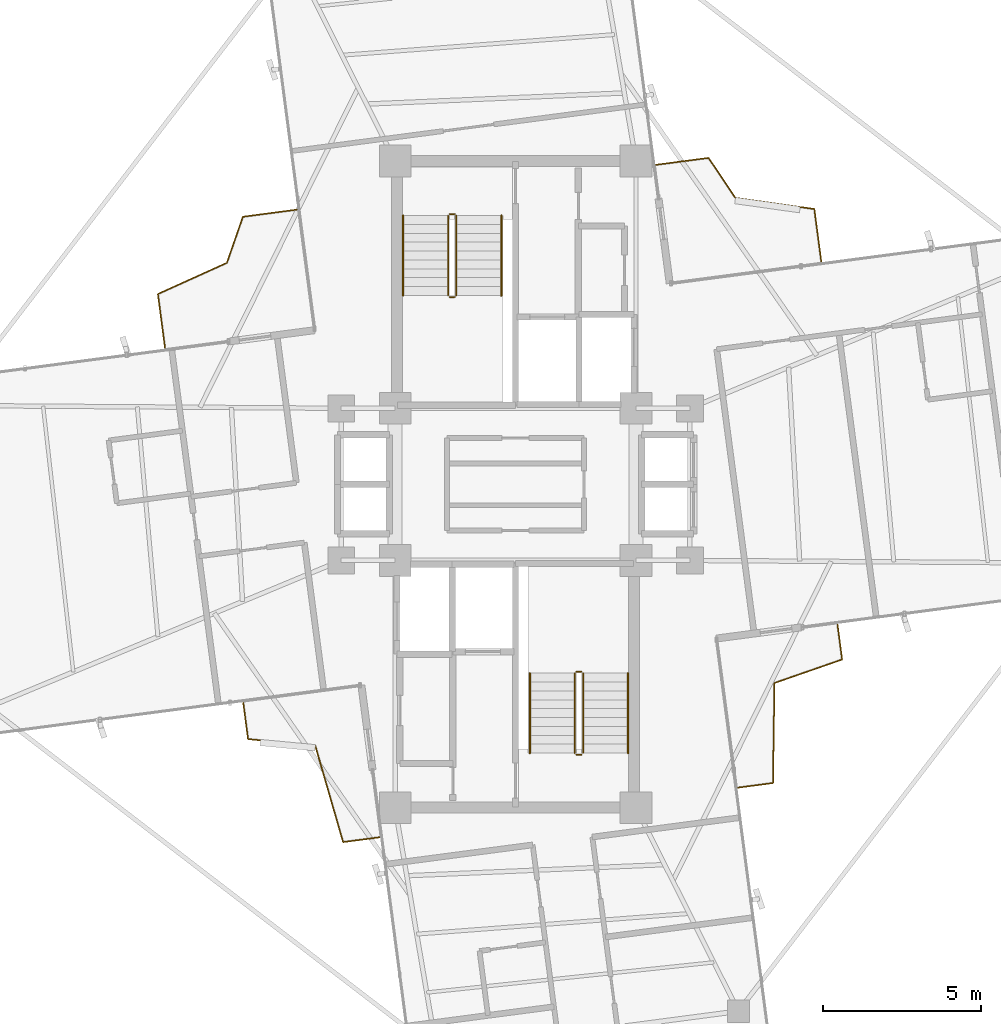
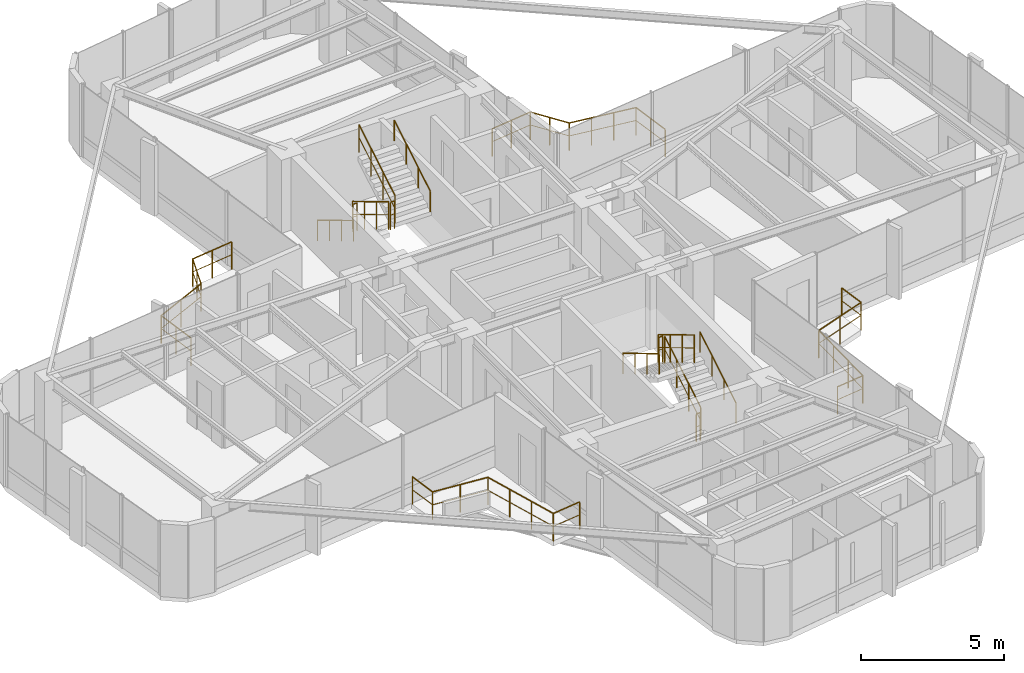
# One storey, part 21 of 21: 16 railings.
"""IFC4 building model written with IfcOpenShell, lengths in metres."""

from ifc_helpers import new_model, si_unit, direction, frame, origin, origin_2d, place, context, subcontext, project, spatial, circle, extrude, material, type_object, element, save


model = new_model("IFC4")

# Units and contexts
model_context = context("Model", 3, precision=1e-05, world=origin(), true_north=direction((0.0, 1.0)))
body_context = subcontext(model_context, "Body", "Model", "MODEL_VIEW")
ifc_project = project(units=[si_unit("LENGTHUNIT", "METRE"), si_unit("AREAUNIT", "SQUARE_METRE"), si_unit("VOLUMEUNIT", "CUBIC_METRE"), si_unit("PLANEANGLEUNIT", "RADIAN"), si_unit("MASSUNIT", "GRAM", prefix="KILO")], contexts=[model_context])

# Site, building, storey
site_placement = place(None, origin())
site = spatial("IfcSite", under=ifc_project, at=site_placement, CompositionType="ELEMENT")
building_placement = place(site_placement, origin())
building = spatial("IfcBuilding", under=site, at=building_placement, Name="Sahyath Konkavel Grand Hotel", CompositionType="ELEMENT")
storey_placement = place(building_placement, frame((0.0, 0.0, 216.550048828125)))
storey = spatial("IfcBuildingStorey", under=building, at=storey_placement, Name="L60", CompositionType="ELEMENT", Elevation=216.550048828125)

# Railings
ifc_material_1 = material(Name="Anodised Bronze Aluminium", Category="aluminium")
railing_type_1 = type_object("IfcRailingType", Name="RLG-BALC-1200", PredefinedType="GUARDRAIL", material=ifc_material_1)
railing_1_placement = place(storey_placement, frame((9.647216796875, 7.029296875, 0.0)))
element("IfcRailing", 1, at=railing_1_placement, inside=storey, type_object=railing_type_1, Name="L60 Winter-Garden Guard NE", PredefinedType="GUARDRAIL", context=body_context, shape_type="SweptSolid", body=[
    extrude(circle(Radius=0.02392578125, at=origin_2d()), frame((-0.000244140625, 0.001953125, 1.17578125), z_axis=(-0.13060550525, 0.991434416388, 0.0), x_axis=(-0.991434416388, -0.13060550525, 0.0)), (0.0, 0.0, 1.0), 1.6689453125),
    extrude(circle(Radius=0.01416015625, at=origin_2d()), frame((-0.000244140625, 0.001953125, 0.6240234375), z_axis=(-0.13060550525, 0.991434416388, 0.0), x_axis=(-0.991434416388, -0.13060550525, 0.0)), (0.0, 0.0, 1.0), 1.6689453125),
    extrude(circle(Radius=0.02392578125, at=origin_2d()), frame((-0.220458984375, 1.658935546875, 1.17578125), z_axis=(-0.990184766459, 0.139764545839, 0.0), x_axis=(-0.139764545839, -0.990184766459, 0.0)), (0.0, 0.0, 1.0), 2.51318359375),
    extrude(circle(Radius=0.01416015625, at=origin_2d()), frame((-0.220458984375, 1.658935546875, 0.6240234375), z_axis=(-0.990184766459, 0.139764545839, 0.0), x_axis=(-0.139764545839, -0.990184766459, 0.0)), (0.0, 0.0, 1.0), 2.51318359375),
    extrude(circle(Radius=0.02392578125, at=origin_2d()), frame((-2.712158203125, 2.01220703125, 1.17578125), z_axis=(-0.556924325217, 0.830563240206, 0.0), x_axis=(-0.830563240206, -0.556924325217, 0.0)), (0.0, 0.0, 1.0), 1.514404296875),
    extrude(circle(Radius=0.01416015625, at=origin_2d()), frame((-2.712158203125, 2.01220703125, 0.6240234375), z_axis=(-0.556924325217, 0.830563240206, 0.0), x_axis=(-0.830563240206, -0.556924325217, 0.0)), (0.0, 0.0, 1.0), 1.514404296875),
    extrude(circle(Radius=0.02392578125, at=origin_2d()), frame((-3.55859375, 3.271484375, 1.17578125), z_axis=(-0.991453302112, -0.130462062421, 0.0), x_axis=(0.130462062421, -0.991453302112, 0.0)), (0.0, 0.0, 1.0), 1.6689453125),
    extrude(circle(Radius=0.01416015625, at=origin_2d()), frame((-3.55859375, 3.271484375, 0.6240234375), z_axis=(-0.991453302112, -0.130462062421, 0.0), x_axis=(0.130462062421, -0.991453302112, 0.0)), (0.0, 0.0, 1.0), 1.6689453125),
    extrude(circle(Radius=0.02099609375, at=origin_2d()), origin(), (0.0, 0.0, 1.0), 1.15185546875),
    extrude(circle(Radius=0.02099609375, at=origin_2d()), frame((-0.109375, 0.829345703125, 0.0)), (0.0, 0.0, 1.0), 1.15185546875),
    extrude(circle(Radius=0.02099609375, at=origin_2d()), frame((-0.218505859375, 1.65869140625, 0.0)), (0.0, 0.0, 1.0), 1.15185546875),
    extrude(circle(Radius=0.02099609375, at=origin_2d()), frame((-1.04931640625, 1.77587890625, 0.0)), (0.0, 0.0, 1.0), 1.15185546875),
    extrude(circle(Radius=0.02099609375, at=origin_2d()), frame((-1.880126953125, 1.893310546875, 0.0)), (0.0, 0.0, 1.0), 1.15185546875),
    extrude(circle(Radius=0.02099609375, at=origin_2d()), frame((-2.7109375, 2.010498046875, 0.0)), (0.0, 0.0, 1.0), 1.15185546875),
    extrude(circle(Radius=0.02099609375, at=origin_2d()), frame((-3.1337890625, 2.64111328125, 0.0)), (0.0, 0.0, 1.0), 1.15185546875),
    extrude(circle(Radius=0.02099609375, at=origin_2d()), frame((-3.556640625, 3.271728515625, 0.0)), (0.0, 0.0, 1.0), 1.15185546875),
    extrude(circle(Radius=0.02099609375, at=origin_2d()), frame((-4.385986328125, 3.16259765625, 0.0)), (0.0, 0.0, 1.0), 1.15185546875),
    extrude(circle(Radius=0.02099609375, at=origin_2d()), frame((-5.21533203125, 3.053466796875, 0.0)), (0.0, 0.0, 1.0), 1.15185546875),
])
railing_2_placement = place(storey_placement, frame((-6.900390625, 8.66845703125, 0.0)))
element("IfcRailing", 2, at=railing_2_placement, inside=storey, type_object=railing_type_1, Name="L60 Winter-Garden Guard NW", PredefinedType="GUARDRAIL", context=body_context, shape_type="SweptSolid", body=[
    extrude(circle(Radius=0.02392578125, at=origin_2d()), frame((-0.001953125, -0.000244140625, 1.17578125), z_axis=(-0.991445098099, -0.130524394099, 0.0), x_axis=(0.130524394099, -0.991445098099, 0.0)), (0.0, 0.0, 1.0), 1.713134765625),
    extrude(circle(Radius=0.01416015625, at=origin_2d()), frame((-0.001953125, -0.000244140625, 0.6240234375), z_axis=(-0.991445098099, -0.130524394099, 0.0), x_axis=(0.130524394099, -0.991445098099, 0.0)), (0.0, 0.0, 1.0), 1.713134765625),
    extrude(circle(Radius=0.02392578125, at=origin_2d()), frame((-1.703125, -0.22607421875, 1.17578125), z_axis=(-0.328041152041, -0.944663433487, 0.0), x_axis=(0.944663433487, -0.328041152041, 0.0)), (0.0, 0.0, 1.0), 1.53662109375),
    extrude(circle(Radius=0.01416015625, at=origin_2d()), frame((-1.703125, -0.22607421875, 0.6240234375), z_axis=(-0.328041152041, -0.944663433487, 0.0), x_axis=(0.944663433487, -0.328041152041, 0.0)), (0.0, 0.0, 1.0), 1.53662109375),
    extrude(circle(Radius=0.02392578125, at=origin_2d()), frame((-2.20947265625, -1.68017578125, 1.17578125), z_axis=(-0.91131247502, -0.411715402765, 0.0), x_axis=(0.411715402765, -0.91131247502, 0.0)), (0.0, 0.0, 1.0), 2.38525390625),
    extrude(circle(Radius=0.01416015625, at=origin_2d()), frame((-2.20947265625, -1.68017578125, 0.6240234375), z_axis=(-0.91131247502, -0.411715402765, 0.0), x_axis=(0.411715402765, -0.91131247502, 0.0)), (0.0, 0.0, 1.0), 2.38525390625),
    extrude(circle(Radius=0.02392578125, at=origin_2d()), frame((-4.384765625, -2.6650390625, 1.17578125), z_axis=(0.130524394099, -0.991445098099, 0.0), x_axis=(0.991445098099, 0.130524394099, 0.0)), (0.0, 0.0, 1.0), 1.713134765625),
    extrude(circle(Radius=0.01416015625, at=origin_2d()), frame((-4.384765625, -2.6650390625, 0.6240234375), z_axis=(0.130524394099, -0.991445098099, 0.0), x_axis=(0.991445098099, 0.130524394099, 0.0)), (0.0, 0.0, 1.0), 1.713134765625),
    extrude(circle(Radius=0.02099609375, at=origin_2d()), origin(), (0.0, 0.0, 1.0), 1.15185546875),
    extrude(circle(Radius=0.02099609375, at=origin_2d()), frame((-0.85107421875, -0.112060546875, 0.0)), (0.0, 0.0, 1.0), 1.15185546875),
    extrude(circle(Radius=0.02099609375, at=origin_2d()), frame((-1.702392578125, -0.22412109375, 0.0)), (0.0, 0.0, 1.0), 1.15185546875),
    extrude(circle(Radius=0.02099609375, at=origin_2d()), frame((-1.955078125, -0.95166015625, 0.0)), (0.0, 0.0, 1.0), 1.15185546875),
    extrude(circle(Radius=0.02099609375, at=origin_2d()), frame((-2.207763671875, -1.679443359375, 0.0)), (0.0, 0.0, 1.0), 1.15185546875),
    extrude(circle(Radius=0.02099609375, at=origin_2d()), frame((-3.29638671875, -2.17138671875, 0.0)), (0.0, 0.0, 1.0), 1.15185546875),
    extrude(circle(Radius=0.02099609375, at=origin_2d()), frame((-4.385009765625, -2.6630859375, 0.0)), (0.0, 0.0, 1.0), 1.15185546875),
    extrude(circle(Radius=0.02099609375, at=origin_2d()), frame((-4.27294921875, -3.51416015625, 0.0)), (0.0, 0.0, 1.0), 1.15185546875),
    extrude(circle(Radius=0.02099609375, at=origin_2d()), frame((-4.160888671875, -4.365478515625, 0.0)), (0.0, 0.0, 1.0), 1.15185546875),
])
railing_3_placement = place(storey_placement, frame((-8.59228515625, -6.890380859375, 0.0)))
element("IfcRailing", 3, at=railing_3_placement, inside=storey, type_object=railing_type_1, Name="L60 Winter-Garden Guard SW", PredefinedType="GUARDRAIL", context=body_context, shape_type="SweptSolid", body=[
    extrude(circle(Radius=0.02392578125, at=origin_2d()), frame((0.000244140625, -0.001953125, 1.17578125), z_axis=(0.130590725562, -0.991436363261, 0.0), x_axis=(0.991436363261, 0.130590725562, 0.0)), (0.0, 0.0, 1.0), 1.155029296875),
    extrude(circle(Radius=0.01416015625, at=origin_2d()), frame((0.000244140625, -0.001953125, 0.6240234375), z_axis=(0.130590725562, -0.991436363261, 0.0), x_axis=(0.991436363261, 0.130590725562, 0.0)), (0.0, 0.0, 1.0), 1.155029296875),
    extrude(circle(Radius=0.02392578125, at=origin_2d()), frame((0.1533203125, -1.1494140625, 1.17578125), z_axis=(0.995620891283, -0.093482837142, 0.0), x_axis=(0.093482837142, 0.995620891283, 0.0)), (0.0, 0.0, 1.0), 2.12451171875),
    extrude(circle(Radius=0.01416015625, at=origin_2d()), frame((0.1533203125, -1.1494140625, 0.6240234375), z_axis=(0.995620891283, -0.093482837142, 0.0), x_axis=(0.093482837142, 0.995620891283, 0.0)), (0.0, 0.0, 1.0), 2.12451171875),
    extrude(circle(Radius=0.02392578125, at=origin_2d()), frame((2.27099609375, -1.35009765625, 1.17578125), z_axis=(0.277157920711, -0.960824378847, 0.0), x_axis=(0.960824378847, 0.277157920711, 0.0)), (0.0, 0.0, 1.0), 3.170654296875),
    extrude(circle(Radius=0.01416015625, at=origin_2d()), frame((2.27099609375, -1.35009765625, 0.6240234375), z_axis=(0.277157920711, -0.960824378847, 0.0), x_axis=(0.960824378847, 0.277157920711, 0.0)), (0.0, 0.0, 1.0), 3.170654296875),
    extrude(circle(Radius=0.02392578125, at=origin_2d()), frame((3.15234375, -4.398193359375, 1.17578125), z_axis=(0.991460031275, 0.130410913591, 0.0), x_axis=(-0.130410913591, 0.991460031275, 0.0)), (0.0, 0.0, 1.0), 1.15478515625),
    extrude(circle(Radius=0.01416015625, at=origin_2d()), frame((3.15234375, -4.398193359375, 0.6240234375), z_axis=(0.991460031275, 0.130410913591, 0.0), x_axis=(-0.130410913591, 0.991460031275, 0.0)), (0.0, 0.0, 1.0), 1.15478515625),
    extrude(circle(Radius=0.02099609375, at=origin_2d()), origin(), (0.0, 0.0, 1.0), 1.15185546875),
    extrude(circle(Radius=0.02099609375, at=origin_2d()), frame((0.1513671875, -1.149169921875, 0.0)), (0.0, 0.0, 1.0), 1.15185546875),
    extrude(circle(Radius=0.02099609375, at=origin_2d()), frame((1.2109375, -1.24853515625, 0.0)), (0.0, 0.0, 1.0), 1.15185546875),
    extrude(circle(Radius=0.02099609375, at=origin_2d()), frame((2.2705078125, -1.34814453125, 0.0)), (0.0, 0.0, 1.0), 1.15185546875),
    extrude(circle(Radius=0.02099609375, at=origin_2d()), frame((2.563720703125, -2.364990234375, 0.0)), (0.0, 0.0, 1.0), 1.15185546875),
    extrude(circle(Radius=0.02099609375, at=origin_2d()), frame((2.857177734375, -3.381591796875, 0.0)), (0.0, 0.0, 1.0), 1.15185546875),
    extrude(circle(Radius=0.02099609375, at=origin_2d()), frame((3.150390625, -4.3984375, 0.0)), (0.0, 0.0, 1.0), 1.15185546875),
    extrude(circle(Radius=0.02099609375, at=origin_2d()), frame((4.29931640625, -4.247314453125, 0.0)), (0.0, 0.0, 1.0), 1.15185546875),
])
railing_4_placement = place(storey_placement, frame((7.019287109375, -9.57080078125, 0.0)))
element("IfcRailing", 4, at=railing_4_placement, inside=storey, type_object=railing_type_1, Name="L60 Winter-Garden Guard SE", PredefinedType="GUARDRAIL", context=body_context, shape_type="SweptSolid", body=[
    extrude(circle(Radius=0.02392578125, at=origin_2d()), frame((0.001953125, 0.000244140625, 1.17578125), z_axis=(0.99141998001, 0.130715045951, 0.0), x_axis=(-0.130715045951, 0.99141998001, 0.0)), (0.0, 0.0, 1.0), 1.111083984375),
    extrude(circle(Radius=0.01416015625, at=origin_2d()), frame((0.001953125, 0.000244140625, 0.6240234375), z_axis=(0.99141998001, 0.130715045951, 0.0), x_axis=(-0.130715045951, 0.99141998001, 0.0)), (0.0, 0.0, 1.0), 1.111083984375),
    extrude(circle(Radius=0.02392578125, at=origin_2d()), frame((1.10546875, 0.147705078125, 1.17578125), z_axis=(0.014388112823, 0.999896485747, 0.0), x_axis=(-0.999896485747, 0.014388112823, 0.0)), (0.0, 0.0, 1.0), 3.152099609375),
    extrude(circle(Radius=0.01416015625, at=origin_2d()), frame((1.10546875, 0.147705078125, 0.6240234375), z_axis=(0.014388112823, 0.999896485747, 0.0), x_axis=(-0.999896485747, 0.014388112823, 0.0)), (0.0, 0.0, 1.0), 3.152099609375),
    extrude(circle(Radius=0.02392578125, at=origin_2d()), frame((1.15283203125, 3.30224609375, 1.17578125), z_axis=(0.944565278394, 0.328323673915, 0.0), x_axis=(-0.328323673915, 0.944565278394, 0.0)), (0.0, 0.0, 1.0), 2.255859375),
    extrude(circle(Radius=0.01416015625, at=origin_2d()), frame((1.15283203125, 3.30224609375, 0.6240234375), z_axis=(0.944565278394, 0.328323673915, 0.0), x_axis=(-0.328323673915, 0.944565278394, 0.0)), (0.0, 0.0, 1.0), 2.255859375),
    extrude(circle(Radius=0.02392578125, at=origin_2d()), frame((3.28515625, 4.04541015625, 1.17578125), z_axis=(-0.130715045951, 0.99141998001, 0.0), x_axis=(-0.99141998001, -0.130715045951, 0.0)), (0.0, 0.0, 1.0), 1.111083984375),
    extrude(circle(Radius=0.01416015625, at=origin_2d()), frame((3.28515625, 4.04541015625, 0.6240234375), z_axis=(-0.130715045951, 0.99141998001, 0.0), x_axis=(-0.99141998001, -0.130715045951, 0.0)), (0.0, 0.0, 1.0), 1.111083984375),
    extrude(circle(Radius=0.02099609375, at=origin_2d()), origin(), (0.0, 0.0, 1.0), 1.15185546875),
    extrude(circle(Radius=0.02099609375, at=origin_2d()), frame((1.10546875, 0.145751953125, 0.0)), (0.0, 0.0, 1.0), 1.15185546875),
    extrude(circle(Radius=0.02099609375, at=origin_2d()), frame((1.12060546875, 1.19775390625, 0.0)), (0.0, 0.0, 1.0), 1.15185546875),
    extrude(circle(Radius=0.02099609375, at=origin_2d()), frame((1.1357421875, 2.24951171875, 0.0)), (0.0, 0.0, 1.0), 1.15185546875),
    extrude(circle(Radius=0.02099609375, at=origin_2d()), frame((1.15087890625, 3.301513671875, 0.0)), (0.0, 0.0, 1.0), 1.15185546875),
    extrude(circle(Radius=0.02099609375, at=origin_2d()), frame((2.21826171875, 3.67236328125, 0.0)), (0.0, 0.0, 1.0), 1.15185546875),
    extrude(circle(Radius=0.02099609375, at=origin_2d()), frame((3.285400390625, 4.04345703125, 0.0)), (0.0, 0.0, 1.0), 1.15185546875),
    extrude(circle(Radius=0.02099609375, at=origin_2d()), frame((3.1396484375, 5.14892578125, 0.0)), (0.0, 0.0, 1.0), 1.15185546875),
])
ifc_material_2 = material(Name="Steel E350", Category="steel")
railing_type_2 = type_object("IfcRailingType", Name="RLG-STAIR-GRD", PredefinedType="GUARDRAIL", material=ifc_material_2)
railing_5_placement = place(storey_placement, frame((-2.1298828125, 8.47998046875, 0.16748046875)))
element("IfcRailing", 5, at=railing_5_placement, inside=storey, type_object=railing_type_2, Name="L60 ST-1 stair guard 1", PredefinedType="GUARDRAIL", context=body_context, shape_type="SweptSolid", body=[
    extrude(circle(Radius=0.02392578125, at=origin_2d()), frame((0.0, -0.001708984375, 1.177001953125), z_axis=(0.0, -0.858159760407, 0.513382728203), x_axis=(1.0, 0.0, 0.0)), (0.0, 0.0, 1.0), 2.9326171875),
    extrude(circle(Radius=0.01416015625, at=origin_2d()), frame((0.0, -0.001708984375, 0.625), z_axis=(0.0, -0.858159760407, 0.513382728203), x_axis=(1.0, 0.0, 0.0)), (0.0, 0.0, 1.0), 2.9326171875),
    extrude(circle(Radius=0.02099609375, at=origin_2d()), origin(), (0.0, 0.0, 1.0), 1.15185546875),
    extrude(circle(Radius=0.02099609375, at=origin_2d()), frame((0.0, -0.840087890625, 0.50244140625)), (0.0, 0.0, 1.0), 1.15185546875),
    extrude(circle(Radius=0.02099609375, at=origin_2d()), frame((0.0, -1.679931640625, 1.005126953125)), (0.0, 0.0, 1.0), 1.15185546875),
    extrude(circle(Radius=0.02099609375, at=origin_2d()), frame((0.0, -2.52001953125, 1.507568359375)), (0.0, 0.0, 1.0), 1.15185546875),
])
railing_6_placement = place(storey_placement, frame((-2.080078125, 5.909912109375, 1.675048828125)))
element("IfcRailing", 6, at=railing_6_placement, inside=storey, type_object=railing_type_2, Name="L60 ST-1 stair guard 2", PredefinedType="GUARDRAIL", context=body_context, shape_type="SweptSolid", body=[
    extrude(circle(Radius=0.02392578125, at=origin_2d()), frame((0.001953125, 0.0, 1.17578125), z_axis=(1.0, 0.0, 0.0), x_axis=(0.0, 1.0, 0.0)), (0.0, 0.0, 1.0), 0.15625),
    extrude(circle(Radius=0.01416015625, at=origin_2d()), frame((0.001953125, 0.0, 0.6240234375), z_axis=(1.0, 0.0, 0.0), x_axis=(0.0, 1.0, 0.0)), (0.0, 0.0, 1.0), 0.15625),
    extrude(circle(Radius=0.02099609375, at=origin_2d()), origin(), (0.0, 0.0, 1.0), 1.15185546875),
    extrude(circle(Radius=0.02099609375, at=origin_2d()), frame((0.16015625, 0.0, 0.0)), (0.0, 0.0, 1.0), 1.15185546875),
])
railing_7_placement = place(storey_placement, frame((-1.8701171875, 5.9599609375, 1.842529296875)))
element("IfcRailing", 7, at=railing_7_placement, inside=storey, type_object=railing_type_2, Name="L60 ST-1 stair guard 3", PredefinedType="GUARDRAIL", context=body_context, shape_type="SweptSolid", body=[
    extrude(circle(Radius=0.02392578125, at=origin_2d()), frame((0.0, 0.001708984375, 1.177001953125), z_axis=(0.0, 0.858196387827, 0.513321497621), x_axis=(-1.0, 0.0, 0.0)), (0.0, 0.0, 1.0), 2.932373046875),
    extrude(circle(Radius=0.01416015625, at=origin_2d()), frame((0.0, 0.001708984375, 0.625), z_axis=(0.0, 0.858196387827, 0.513321497621), x_axis=(-1.0, 0.0, 0.0)), (0.0, 0.0, 1.0), 2.932373046875),
    extrude(circle(Radius=0.02099609375, at=origin_2d()), origin(), (0.0, 0.0, 1.0), 1.15185546875),
    extrude(circle(Radius=0.02099609375, at=origin_2d()), frame((0.0, 0.840087890625, 0.50244140625)), (0.0, 0.0, 1.0), 1.15185546875),
    extrude(circle(Radius=0.02099609375, at=origin_2d()), frame((0.0, 1.679931640625, 1.0048828125)), (0.0, 0.0, 1.0), 1.15185546875),
    extrude(circle(Radius=0.02099609375, at=origin_2d()), frame((0.0, 2.52001953125, 1.50732421875)), (0.0, 0.0, 1.0), 1.15185546875),
])
railing_8_placement = place(storey_placement, frame((-2.080078125, 8.530029296875, 0.0)))
element("IfcRailing", 8, at=railing_8_placement, inside=storey, type_object=railing_type_2, Name="L60 ST-1 stair guard 4", PredefinedType="GUARDRAIL", context=body_context, shape_type="SweptSolid", body=[
    extrude(circle(Radius=0.02392578125, at=origin_2d()), frame((0.001953125, 0.0, 1.17578125), z_axis=(1.0, 0.0, 0.0), x_axis=(0.0, 1.0, 0.0)), (0.0, 0.0, 1.0), 0.15625),
    extrude(circle(Radius=0.01416015625, at=origin_2d()), frame((0.001953125, 0.0, 0.6240234375), z_axis=(1.0, 0.0, 0.0), x_axis=(0.0, 1.0, 0.0)), (0.0, 0.0, 1.0), 0.15625),
    extrude(circle(Radius=0.02099609375, at=origin_2d()), origin(), (0.0, 0.0, 1.0), 1.15185546875),
    extrude(circle(Radius=0.02099609375, at=origin_2d()), frame((0.16015625, 0.0, 0.0)), (0.0, 0.0, 1.0), 1.15185546875),
])
railing_9_placement = place(storey_placement, frame((2.1298828125, -8.47998046875, 0.16748046875)))
element("IfcRailing", 9, at=railing_9_placement, inside=storey, type_object=railing_type_2, Name="L60 ST-2 stair guard 1", PredefinedType="GUARDRAIL", context=body_context, shape_type="SweptSolid", body=[
    extrude(circle(Radius=0.02392578125, at=origin_2d()), frame((0.0, 0.001708984375, 1.177001953125), z_axis=(0.0, 0.858159760407, 0.513382728203), x_axis=(-1.0, 0.0, 0.0)), (0.0, 0.0, 1.0), 2.9326171875),
    extrude(circle(Radius=0.01416015625, at=origin_2d()), frame((0.0, 0.001708984375, 0.625), z_axis=(0.0, 0.858159760407, 0.513382728203), x_axis=(-1.0, 0.0, 0.0)), (0.0, 0.0, 1.0), 2.9326171875),
    extrude(circle(Radius=0.02099609375, at=origin_2d()), origin(), (0.0, 0.0, 1.0), 1.15185546875),
    extrude(circle(Radius=0.02099609375, at=origin_2d()), frame((0.0, 0.840087890625, 0.50244140625)), (0.0, 0.0, 1.0), 1.15185546875),
    extrude(circle(Radius=0.02099609375, at=origin_2d()), frame((0.0, 1.679931640625, 1.005126953125)), (0.0, 0.0, 1.0), 1.15185546875),
    extrude(circle(Radius=0.02099609375, at=origin_2d()), frame((0.0, 2.52001953125, 1.507568359375)), (0.0, 0.0, 1.0), 1.15185546875),
])
railing_10_placement = place(storey_placement, frame((2.080078125, -5.909912109375, 1.675048828125)))
element("IfcRailing", 10, at=railing_10_placement, inside=storey, type_object=railing_type_2, Name="L60 ST-2 stair guard 2", PredefinedType="GUARDRAIL", context=body_context, shape_type="SweptSolid", body=[
    extrude(circle(Radius=0.02392578125, at=origin_2d()), frame((-0.001953125, 0.0, 1.17578125), z_axis=(-1.0, 0.0, 0.0), x_axis=(0.0, -1.0, 0.0)), (0.0, 0.0, 1.0), 0.15625),
    extrude(circle(Radius=0.01416015625, at=origin_2d()), frame((-0.001953125, 0.0, 0.6240234375), z_axis=(-1.0, 0.0, 0.0), x_axis=(0.0, -1.0, 0.0)), (0.0, 0.0, 1.0), 0.15625),
    extrude(circle(Radius=0.02099609375, at=origin_2d()), origin(), (0.0, 0.0, 1.0), 1.15185546875),
    extrude(circle(Radius=0.02099609375, at=origin_2d()), frame((-0.16015625, 0.0, 0.0)), (0.0, 0.0, 1.0), 1.15185546875),
])
railing_11_placement = place(storey_placement, frame((1.8701171875, -5.9599609375, 1.842529296875)))
element("IfcRailing", 11, at=railing_11_placement, inside=storey, type_object=railing_type_2, Name="L60 ST-2 stair guard 3", PredefinedType="GUARDRAIL", context=body_context, shape_type="SweptSolid", body=[
    extrude(circle(Radius=0.02392578125, at=origin_2d()), frame((0.0, -0.001708984375, 1.177001953125), z_axis=(0.0, -0.858196387827, 0.513321497621), x_axis=(1.0, 0.0, 0.0)), (0.0, 0.0, 1.0), 2.932373046875),
    extrude(circle(Radius=0.01416015625, at=origin_2d()), frame((0.0, -0.001708984375, 0.625), z_axis=(0.0, -0.858196387827, 0.513321497621), x_axis=(1.0, 0.0, 0.0)), (0.0, 0.0, 1.0), 2.932373046875),
    extrude(circle(Radius=0.02099609375, at=origin_2d()), origin(), (0.0, 0.0, 1.0), 1.15185546875),
    extrude(circle(Radius=0.02099609375, at=origin_2d()), frame((0.0, -0.840087890625, 0.50244140625)), (0.0, 0.0, 1.0), 1.15185546875),
    extrude(circle(Radius=0.02099609375, at=origin_2d()), frame((0.0, -1.679931640625, 1.0048828125)), (0.0, 0.0, 1.0), 1.15185546875),
    extrude(circle(Radius=0.02099609375, at=origin_2d()), frame((0.0, -2.52001953125, 1.50732421875)), (0.0, 0.0, 1.0), 1.15185546875),
])
railing_12_placement = place(storey_placement, frame((2.080078125, -8.530029296875, 0.0)))
element("IfcRailing", 12, at=railing_12_placement, inside=storey, type_object=railing_type_2, Name="L60 ST-2 stair guard 4", PredefinedType="GUARDRAIL", context=body_context, shape_type="SweptSolid", body=[
    extrude(circle(Radius=0.02392578125, at=origin_2d()), frame((-0.001953125, 0.0, 1.17578125), z_axis=(-1.0, 0.0, 0.0), x_axis=(0.0, -1.0, 0.0)), (0.0, 0.0, 1.0), 0.15625),
    extrude(circle(Radius=0.01416015625, at=origin_2d()), frame((-0.001953125, 0.0, 0.6240234375), z_axis=(-1.0, 0.0, 0.0), x_axis=(0.0, -1.0, 0.0)), (0.0, 0.0, 1.0), 0.15625),
    extrude(circle(Radius=0.02099609375, at=origin_2d()), origin(), (0.0, 0.0, 1.0), 1.15185546875),
    extrude(circle(Radius=0.02099609375, at=origin_2d()), frame((-0.16015625, 0.0, 0.0)), (0.0, 0.0, 1.0), 1.15185546875),
])
railing_type_3 = type_object("IfcRailingType", Name="RLG-STAIR-HND", PredefinedType="HANDRAIL", material=ifc_material_1)
railing_13_placement = place(storey_placement, frame((-3.550048828125, 8.47998046875, 0.16748046875)))
element("IfcRailing", 13, at=railing_13_placement, inside=storey, type_object=railing_type_3, Name="L60 ST-1 stair handrail 1", PredefinedType="HANDRAIL", context=body_context, shape_type="SweptSolid", body=[
    extrude(circle(Radius=0.02392578125, at=origin_2d()), frame((0.0, -0.001708984375, 0.876953125), z_axis=(0.0, -0.858159760407, 0.513382728203), x_axis=(1.0, 0.0, 0.0)), (0.0, 0.0, 1.0), 2.9326171875),
    extrude(circle(Radius=0.02099609375, at=origin_2d()), origin(), (0.0, 0.0, 1.0), 0.851806640625),
    extrude(circle(Radius=0.02099609375, at=origin_2d()), frame((0.0, -0.840087890625, 0.50244140625)), (0.0, 0.0, 1.0), 0.851806640625),
    extrude(circle(Radius=0.02099609375, at=origin_2d()), frame((0.0, -1.679931640625, 1.005126953125)), (0.0, 0.0, 1.0), 0.851806640625),
    extrude(circle(Radius=0.02099609375, at=origin_2d()), frame((0.0, -2.52001953125, 1.507568359375)), (0.0, 0.0, 1.0), 0.851806640625),
])
railing_14_placement = place(storey_placement, frame((-0.449951171875, 5.9599609375, 1.842529296875)))
element("IfcRailing", 14, at=railing_14_placement, inside=storey, type_object=railing_type_3, Name="L60 ST-1 stair handrail 2", PredefinedType="HANDRAIL", context=body_context, shape_type="SweptSolid", body=[
    extrude(circle(Radius=0.02392578125, at=origin_2d()), frame((0.0, 0.001708984375, 0.876953125), z_axis=(0.0, 0.858196387827, 0.513321497621), x_axis=(-1.0, 0.0, 0.0)), (0.0, 0.0, 1.0), 2.932373046875),
    extrude(circle(Radius=0.02099609375, at=origin_2d()), origin(), (0.0, 0.0, 1.0), 0.851806640625),
    extrude(circle(Radius=0.02099609375, at=origin_2d()), frame((0.0, 0.840087890625, 0.50244140625)), (0.0, 0.0, 1.0), 0.851806640625),
    extrude(circle(Radius=0.02099609375, at=origin_2d()), frame((0.0, 1.679931640625, 1.0048828125)), (0.0, 0.0, 1.0), 0.851806640625),
    extrude(circle(Radius=0.02099609375, at=origin_2d()), frame((0.0, 2.52001953125, 1.50732421875)), (0.0, 0.0, 1.0), 0.851806640625),
])
railing_15_placement = place(storey_placement, frame((3.550048828125, -8.47998046875, 0.16748046875)))
element("IfcRailing", 15, at=railing_15_placement, inside=storey, type_object=railing_type_3, Name="L60 ST-2 stair handrail 1", PredefinedType="HANDRAIL", context=body_context, shape_type="SweptSolid", body=[
    extrude(circle(Radius=0.02392578125, at=origin_2d()), frame((0.0, 0.001708984375, 0.876953125), z_axis=(0.0, 0.858159760407, 0.513382728203), x_axis=(-1.0, 0.0, 0.0)), (0.0, 0.0, 1.0), 2.9326171875),
    extrude(circle(Radius=0.02099609375, at=origin_2d()), origin(), (0.0, 0.0, 1.0), 0.851806640625),
    extrude(circle(Radius=0.02099609375, at=origin_2d()), frame((0.0, 0.840087890625, 0.50244140625)), (0.0, 0.0, 1.0), 0.851806640625),
    extrude(circle(Radius=0.02099609375, at=origin_2d()), frame((0.0, 1.679931640625, 1.005126953125)), (0.0, 0.0, 1.0), 0.851806640625),
    extrude(circle(Radius=0.02099609375, at=origin_2d()), frame((0.0, 2.52001953125, 1.507568359375)), (0.0, 0.0, 1.0), 0.851806640625),
])
railing_16_placement = place(storey_placement, frame((0.449951171875, -5.9599609375, 1.842529296875)))
element("IfcRailing", 16, at=railing_16_placement, inside=storey, type_object=railing_type_3, Name="L60 ST-2 stair handrail 2", PredefinedType="HANDRAIL", context=body_context, shape_type="SweptSolid", body=[
    extrude(circle(Radius=0.02392578125, at=origin_2d()), frame((0.0, -0.001708984375, 0.876953125), z_axis=(0.0, -0.858196387827, 0.513321497621), x_axis=(1.0, 0.0, 0.0)), (0.0, 0.0, 1.0), 2.932373046875),
    extrude(circle(Radius=0.02099609375, at=origin_2d()), origin(), (0.0, 0.0, 1.0), 0.851806640625),
    extrude(circle(Radius=0.02099609375, at=origin_2d()), frame((0.0, -0.840087890625, 0.50244140625)), (0.0, 0.0, 1.0), 0.851806640625),
    extrude(circle(Radius=0.02099609375, at=origin_2d()), frame((0.0, -1.679931640625, 1.0048828125)), (0.0, 0.0, 1.0), 0.851806640625),
    extrude(circle(Radius=0.02099609375, at=origin_2d()), frame((0.0, -2.52001953125, 1.50732421875)), (0.0, 0.0, 1.0), 0.851806640625),
])

save(model, "model.ifc")
